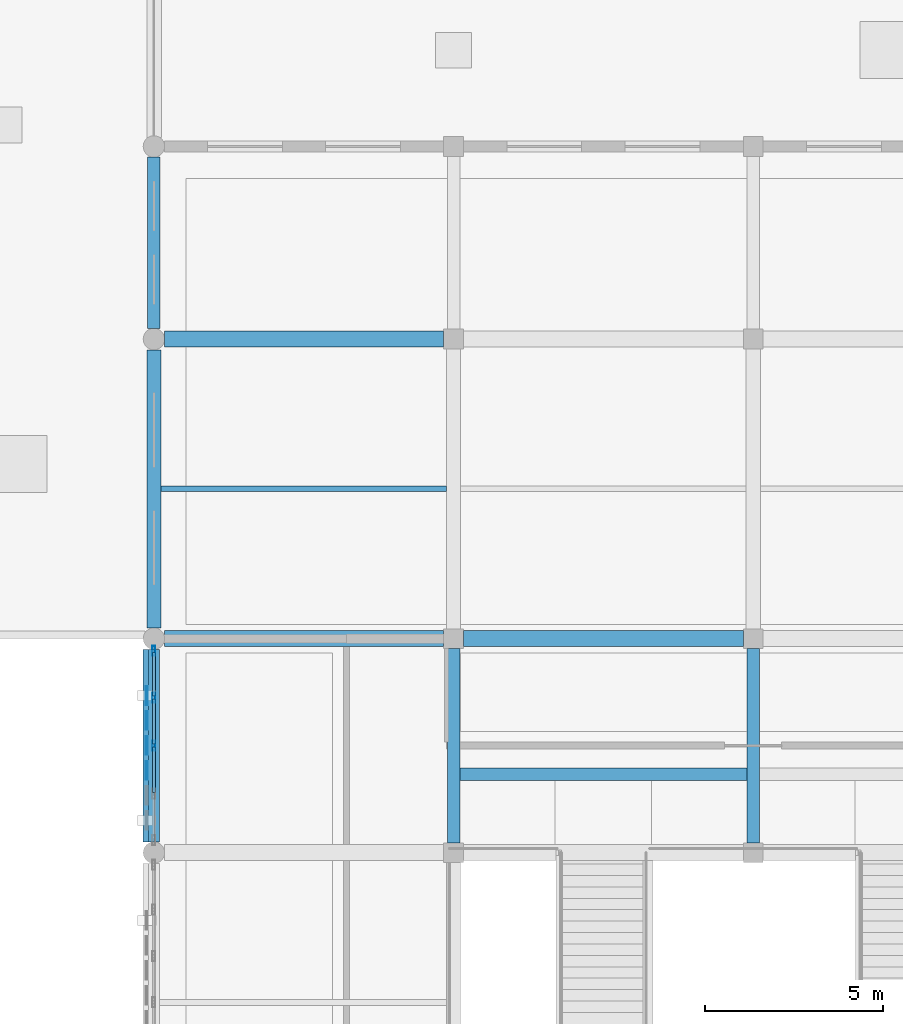
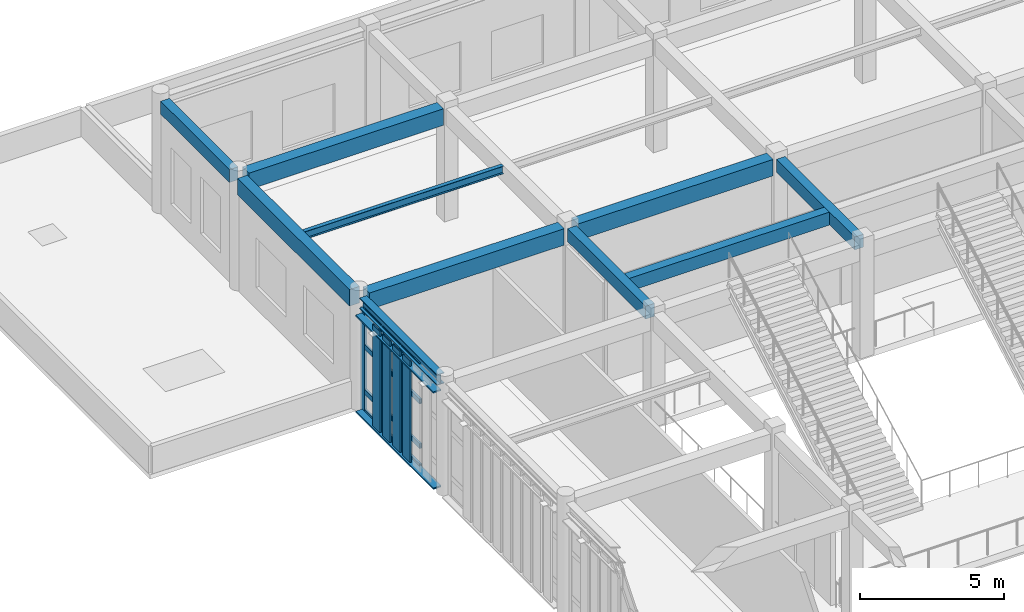
# One storey, part 37 of 93: 21 members, 10 beams, 1 element without a shape of its own.
"""IFC4 building model written with IfcOpenShell, lengths in metres."""

import ifcopenshell
import ifcopenshell.guid

model = None  # the IFC model being written
_history = None  # IfcOwnerHistory: only IFC2X3 demands one
_inside = {}  # id of a spatial element -> (the spatial element, [elements in it])
_under = {}  # id of a project, library or spatial element -> (it, [spatial elements below it])
_declared = {}  # id of a project -> (the project, [libraries it declares])
_typed = {}  # id of a type object -> (the type object, [elements of that type])
_made_of = {}  # id of a material, layer set ... -> (it, [elements and type objects made of it])


def new_model(schema):
    """Start an empty IFC model of exactly this schema.

    Asked for "IFC4X3", IfcOpenShell would pick the latest addendum, in which some entities
    have other attributes; the version numbers below select the first issue.
    IFC2X3 requires an IfcOwnerHistory on every rooted entity: one is made here for all.
    """
    global model, _history
    if schema == "IFC4X3":
        model = ifcopenshell.file(schema_version=(4, 3, 0, 0))
    else:
        model = ifcopenshell.file(schema=schema)
    _inside.clear()
    _under.clear()
    _declared.clear()
    _typed.clear()
    _made_of.clear()
    _history = None
    if model.schema == "IFC2X3":
        org = make("IfcOrganization", Name="unknown")
        user = make(
            "IfcPersonAndOrganization",
            ThePerson=make("IfcPerson", FamilyName="unknown"),
            TheOrganization=org,
        )
        app = make(
            "IfcApplication",
            ApplicationDeveloper=org,
            Version="unknown",
            ApplicationFullName="unknown",
            ApplicationIdentifier="unknown",
        )
        _history = make(
            "IfcOwnerHistory",
            OwningUser=user,
            OwningApplication=app,
            ChangeAction="ADDED",
            CreationDate=0,
        )
    return model


def make(cls, **values):
    """One entity of the class cls with the attributes given. An attribute that is None is left unset."""
    return model.create_entity(
        cls, **{name: value for name, value in values.items() if value is not None}
    )


def rooted(cls, **values):
    """An entity with a GlobalId (a new one), such as an element, a storey or a relation."""
    return make(cls, GlobalId=ifcopenshell.guid.new(), OwnerHistory=_history, **values)


def si_unit(unit_type, name, prefix=None):
    """IfcSIUnit, for example si_unit("LENGTHUNIT", "METRE", prefix="MILLI")."""
    return make("IfcSIUnit", UnitType=unit_type, Prefix=prefix, Name=name)


def assignment(units):
    """IfcUnitAssignment: the units of a project."""
    return None if units is None else make("IfcUnitAssignment", Units=units)


def point(xyz):
    """IfcCartesianPoint."""
    return None if xyz is None else make("IfcCartesianPoint", Coordinates=xyz)


def direction(xyz):
    """IfcDirection."""
    return None if xyz is None else make("IfcDirection", DirectionRatios=xyz)


def frame(location, z_axis=None, x_axis=None):
    """IfcAxis2Placement3D, a coordinate frame: its origin and axes. An axis left out is left unset."""
    return make(
        "IfcAxis2Placement3D",
        Location=point(location),
        Axis=direction(z_axis),
        RefDirection=direction(x_axis),
    )


def frame_2d(location, x_axis=None):
    """IfcAxis2Placement2D, a coordinate frame in the plane: its origin and x axis."""
    return make(
        "IfcAxis2Placement2D", Location=point(location), RefDirection=direction(x_axis)
    )


def origin():
    """The frame at (0, 0, 0) with its axes left unset."""
    return frame((0.0, 0.0, 0.0))


def origin_2d():
    """The frame at (0, 0) in the plane with its x axis left unset."""
    return frame_2d((0.0, 0.0))


def place(relative_to, where):
    """IfcLocalPlacement: puts the frame where relative to a parent placement (None: the world)."""
    return make(
        "IfcLocalPlacement", PlacementRelTo=relative_to, RelativePlacement=where
    )


def context(
    kind, dimensions, precision=None, world=None, true_north=None, identifier=None
):
    """IfcGeometricRepresentationContext, for example the 3D "Model" context."""
    return make(
        "IfcGeometricRepresentationContext",
        ContextIdentifier=identifier,
        ContextType=kind,
        CoordinateSpaceDimension=dimensions,
        Precision=precision,
        WorldCoordinateSystem=world,
        TrueNorth=true_north,
    )


def subcontext(parent, identifier, kind, view, scale=None):
    """IfcGeometricRepresentationSubContext, for example "Body" below "Model"."""
    return make(
        "IfcGeometricRepresentationSubContext",
        ContextIdentifier=identifier,
        ContextType=kind,
        ParentContext=parent,
        TargetScale=scale,
        TargetView=view,
    )


def project(units=None, contexts=None):
    """IfcProject with its units and contexts."""
    return rooted(
        "IfcProject",
        Name="project",
        RepresentationContexts=contexts,
        UnitsInContext=assignment(units),
    )


def spatial(cls, under=None, at=None, **own):
    """A site, building, storey or space (cls), placed at a placement, below another one or the project."""
    s = rooted(cls, ObjectPlacement=at, **own)
    if under is not None:
        _under.setdefault(under.id(), (under, []))[1].append(s)
    return s


def profile(cls, at=None, kind="AREA", **sizes):
    """A parametric profile (cls). Its sizes go by their IFC names, for example OverallWidth=200.0."""
    return make(cls, ProfileType=kind, Position=at, **sizes)


def rectangle(**sizes):
    """IfcRectangleProfileDef."""
    return profile("IfcRectangleProfileDef", **sizes)


def hollow_rectangle(**sizes):
    """IfcRectangleHollowProfileDef."""
    return profile("IfcRectangleHollowProfileDef", **sizes)


def i_section(**sizes):
    """IfcIShapeProfileDef."""
    return profile("IfcIShapeProfileDef", **sizes)


def extrude(swept, where, along, depth):
    """IfcExtrudedAreaSolid: the profile swept, set in the frame where, extruded along a direction by depth."""
    return make(
        "IfcExtrudedAreaSolid",
        SweptArea=swept,
        Position=where,
        ExtrudedDirection=direction(along),
        Depth=depth,
    )


def shape(context_of_items, identifier, shape_type, items):
    """IfcShapeRepresentation: the items that make up one representation, for example the "Body"."""
    return make(
        "IfcShapeRepresentation",
        ContextOfItems=context_of_items,
        RepresentationIdentifier=identifier,
        RepresentationType=shape_type,
        Items=items,
    )


def material(Name=None, Category=None):
    """IfcMaterial."""
    return make("IfcMaterial", Name=Name, Category=Category)


def layer(
    of_material, thickness, ventilated=None, Name=None, Category=None, Priority=None
):
    """IfcMaterialLayer: one layer of a wall or slab, of a material (None: an air gap)."""
    return make(
        "IfcMaterialLayer",
        Material=of_material,
        LayerThickness=thickness,
        IsVentilated=ventilated,
        Name=Name,
        Category=Category,
        Priority=Priority,
    )


def layer_set(layers, Name=None):
    """IfcMaterialLayerSet."""
    return make("IfcMaterialLayerSet", MaterialLayers=layers, LayerSetName=Name)


def material_profile(
    of_material, cross_section, Name=None, Category=None, Priority=None
):
    """IfcMaterialProfile: a cross section and its material."""
    return make(
        "IfcMaterialProfile",
        Name=Name,
        Material=of_material,
        Profile=cross_section,
        Priority=Priority,
        Category=Category,
    )


def profile_set(profiles, Name=None, composite=None):
    """IfcMaterialProfileSet."""
    return make(
        "IfcMaterialProfileSet",
        Name=Name,
        MaterialProfiles=profiles,
        CompositeProfile=composite,
    )


def made_of(thing, what):
    """Note that an element or type object is made of a material, layer set ...; save() writes the relation."""
    if what is not None:
        _made_of.setdefault(what.id(), (what, []))[1].append(thing)
    return thing


def type_object(cls, material=None, **own):
    """A type object (cls), such as IfcWallType, which elements share."""
    return made_of(rooted(cls, **own), material)


def element(
    cls,
    number,
    at=None,
    inside=None,
    cuts=None,
    type_object=None,
    material=None,
    context=None,
    identifier="Body",
    shape_type=None,
    held_by="IfcProductDefinitionShape",
    body=None,
    shapes=None,
    **own,
):
    """One element of the class cls, such as IfcWall. Its Tag is "e" and its number.

    at: its placement. inside: the storey or other place that contains it. cuts: it is an
    opening in that element (IfcRelVoidsElement). A single representation is given by context,
    identifier, shape_type and body (its items); several are given by shapes. held_by: the class
    of the entity that holds the representations. save() writes the other relations.
    """
    e = rooted(cls, Tag="e%d" % number, ObjectPlacement=at, **own)
    if body is not None:
        shapes = [shape(context, identifier, shape_type, body)]
    if shapes is not None:
        e.Representation = make(held_by, Representations=shapes)
    if inside is not None:
        _inside.setdefault(inside.id(), (inside, []))[1].append(e)
    if cuts is not None:
        rooted(
            "IfcRelVoidsElement", RelatingBuildingElement=cuts, RelatedOpeningElement=e
        )
    if type_object is not None:
        _typed.setdefault(type_object.id(), (type_object, []))[1].append(e)
    return made_of(e, material)


def aggregate(whole, parts):
    """IfcRelAggregates: a whole, such as a stair, and the parts it consists of."""
    return rooted("IfcRelAggregates", RelatingObject=whole, RelatedObjects=parts)


def save(model, path):
    """Write the relations noted so far, then the file.

    IfcRelAggregates (storeys below a building ...), IfcRelContainedInSpatialStructure (elements
    in a storey), IfcRelDefinesByType, IfcRelAssociatesMaterial and IfcRelDeclares: one each for
    every whole, place, type object, material and project.
    """
    for whole, parts in _under.values():
        aggregate(whole, parts)
    for where, things in _inside.values():
        rooted(
            "IfcRelContainedInSpatialStructure",
            RelatedElements=things,
            RelatingStructure=where,
        )
    for kind, things in _typed.values():
        rooted("IfcRelDefinesByType", RelatedObjects=things, RelatingType=kind)
    for what, things in _made_of.values():
        rooted("IfcRelAssociatesMaterial", RelatedObjects=things, RelatingMaterial=what)
    for by, libraries in _declared.values():
        rooted("IfcRelDeclares", RelatingContext=by, RelatedDefinitions=libraries)
    model.write(path)


model = new_model("IFC4")

# Units and contexts
model_context = context("Model", 3, precision=1e-05, world=origin(), true_north=direction((0.0, 1.0)))
body_context = subcontext(model_context, "Body", "Model", "MODEL_VIEW")
ifc_project = project(units=[si_unit("LENGTHUNIT", "METRE"), si_unit("AREAUNIT", "SQUARE_METRE"), si_unit("VOLUMEUNIT", "CUBIC_METRE"), si_unit("PLANEANGLEUNIT", "RADIAN"), si_unit("MASSUNIT", "GRAM", prefix="KILO")], contexts=[model_context])

# Site, building, storey
site_placement = place(None, origin())
site = spatial("IfcSite", under=ifc_project, at=site_placement, CompositionType="ELEMENT")
building_placement = place(site_placement, origin())
building = spatial("IfcBuilding", under=site, at=building_placement, Name="Krzemoval Escarpment Law Courts", CompositionType="ELEMENT")
storey_placement = place(building_placement, frame((0.0, 0.0, 10.199951171875)))
storey = spatial("IfcBuildingStorey", under=building, at=storey_placement, Name="L02", CompositionType="ELEMENT", Elevation=10.199951171875)

# Beams
ifc_material_1 = material(Name="Concrete C40/50", Category="concrete")
ifc_material_profile_1 = material_profile(ifc_material_1, rectangle(XDim=0.35009765625, YDim=0.550048828125, at=origin_2d()), Name="RCB 350x550")
ifc_profile_set_1 = profile_set([ifc_material_profile_1], Name="Concrete C40/50")
beam_type_1 = type_object("IfcBeamType", Name="BM-RC-350x550", PredefinedType="BEAM", material=ifc_profile_set_1)
beam_1_placement = place(storey_placement, frame((8.39990234375, 108.300048828125, 4.545166015625), z_axis=(0.0, 1.0, 0.0), x_axis=(-1.0, 0.0, 0.0)))
element("IfcBeam", 1, at=beam_1_placement, inside=storey, type_object=beam_type_1, Name="Beam FG-L02-1870", PredefinedType="BEAM", context=body_context, shape_type="SweptSolid", body=[
    extrude(rectangle(XDim=0.35009765625, YDim=0.550048828125, at=origin_2d()), origin(), (0.0, 0.0, 1.0), 4.800048828125),
])
for number, where, z_axis, x_axis, name in (
    (2, (16.800048828125, 93.875, 4.545166015625), (0.0, 1.0, 0.0), (-1.0, 0.0, 0.0), "Beam FG-L02-1879"),
    (3, (25.199951171875, 93.875, 4.545166015625), (0.0, 1.0, 0.0), (-1.0, 0.0, 0.0), "Beam FG-L02-1887"),
):
    element("IfcBeam", number, at=place(storey_placement, frame(where, z_axis=z_axis, x_axis=x_axis)), inside=storey, type_object=beam_type_1, Name=name, PredefinedType="BEAM", context=body_context, shape_type="SweptSolid", body=[
        extrude(rectangle(XDim=0.35009765625, YDim=0.550048828125, at=origin_2d()), origin(), (0.0, 0.0, 1.0), 5.449951171875),
    ])
beam_2_placement = place(storey_placement, frame((16.97509765625, 95.800048828125, 4.545166015625), z_axis=(1.0, 0.0, 0.0), x_axis=(0.0, 1.0, 0.0)))
element("IfcBeam", 4, at=beam_2_placement, inside=storey, type_object=beam_type_1, Name="Beam FGT-L02-011", PredefinedType="BEAM", context=body_context, shape_type="SweptSolid", body=[
    extrude(rectangle(XDim=0.35009765625, YDim=0.550048828125, at=origin_2d()), origin(), (0.0, 0.0, 1.0), 8.0498046875),
])
ifc_material_2 = material(Name="Concrete C40/50", Category="concrete")
ifc_material_profile_2 = material_profile(ifc_material_2, rectangle(XDim=0.39990234375, YDim=0.699951171875, at=origin_2d()), Name="RCB 400x700")
ifc_profile_set_2 = profile_set([ifc_material_profile_2], Name="Concrete C40/50")
beam_type_2 = type_object("IfcBeamType", Name="BM-RC-400x700", PredefinedType="BEAM", material=ifc_profile_set_2)
beam_3_placement = place(storey_placement, frame((8.39990234375, 99.89990234375, 4.469970703125), z_axis=(0.0, 1.0, 0.0), x_axis=(-1.0, 0.0, 0.0)))
element("IfcBeam", 5, at=beam_3_placement, inside=storey, type_object=beam_type_2, Name="Beam FG-L02-1869", PredefinedType="BEAM", context=body_context, shape_type="SweptSolid", body=[
    extrude(rectangle(XDim=0.39990234375, YDim=0.699951171875, at=origin_2d()), origin(), (0.0, 0.0, 1.0), 7.800048828125),
])
ifc_material_3 = material(Name="Concrete C40/50", Category="concrete")
ifc_material_profile_3 = material_profile(ifc_material_3, rectangle(XDim=0.449951171875, YDim=0.699951171875, at=origin_2d()), Name="RCB 450x700")
ifc_profile_set_3 = profile_set([ifc_material_profile_3], Name="Concrete C40/50")
beam_type_3 = type_object("IfcBeamType", Name="BM-RC-450x700", PredefinedType="BEAM", material=ifc_profile_set_3)
beam_4_placement = place(storey_placement, frame((8.699951171875, 99.60009765625, 4.469970703125), z_axis=(1.0, 0.0, 0.0), x_axis=(0.0, 1.0, 0.0)))
element("IfcBeam", 6, at=beam_4_placement, inside=storey, type_object=beam_type_3, Name="Beam FG-L02-1819", PredefinedType="BEAM", context=body_context, shape_type="SweptSolid", body=[
    extrude(rectangle(XDim=0.449951171875, YDim=0.699951171875, at=origin_2d()), origin(), (0.0, 0.0, 1.0), 7.824951171875),
])
beam_5_placement = place(storey_placement, frame((17.074951171875, 99.60009765625, 4.469970703125), z_axis=(1.0, 0.0, 0.0), x_axis=(0.0, 1.0, 0.0)))
element("IfcBeam", 7, at=beam_5_placement, inside=storey, type_object=beam_type_3, Name="Beam FG-L02-1820", PredefinedType="BEAM", context=body_context, shape_type="SweptSolid", body=[
    extrude(rectangle(XDim=0.449951171875, YDim=0.699951171875, at=origin_2d()), origin(), (0.0, 0.0, 1.0), 7.85009765625),
])
beam_6_placement = place(storey_placement, frame((8.699951171875, 108.0, 4.469970703125), z_axis=(1.0, 0.0, 0.0), x_axis=(0.0, 1.0, 0.0)))
element("IfcBeam", 8, at=beam_6_placement, inside=storey, type_object=beam_type_3, Name="Beam FG-L02-1827", PredefinedType="BEAM", context=body_context, shape_type="SweptSolid", body=[
    extrude(rectangle(XDim=0.449951171875, YDim=0.699951171875, at=origin_2d()), origin(), (0.0, 0.0, 1.0), 7.824951171875),
])

# Curtain wall, members
ifc_material_4 = material(Name="Aluminium 6063-T6", Category="aluminium")
ifc_layer = layer(ifc_material_4, 0.280029296875)
ifc_layer_set = layer_set([ifc_layer], Name="Aluminium 6063-T6")
curtain_wall_type = type_object("IfcCurtainWallType", Name="CW-HALL-5100", PredefinedType="USERDEFINED", material=ifc_layer_set)
curtain_wall_placement = place(storey_placement, origin())
curtain_wall = element("IfcCurtainWall", 9, at=curtain_wall_placement, inside=storey, type_object=curtain_wall_type, Name="Unitised Curtain Wall FCW-L02-072", ObjectType="UNITISED_CURTAIN_WALL", PredefinedType="USERDEFINED")
ifc_material_5 = material(Name="Aluminium 6063-T6", Category="aluminium")
ifc_material_profile_4 = material_profile(ifc_material_5, hollow_rectangle(XDim=0.0849609375, YDim=0.280029296875, WallThickness=0.005615234375, at=origin_2d()), Name="ALU M85x280")
ifc_profile_set_4 = profile_set([ifc_material_profile_4], Name="Aluminium 6063-T6")
member_type_1 = type_object("IfcMemberType", Name="CWM-85x280", PredefinedType="MULLION", material=ifc_profile_set_4)
member_1_placement = place(storey_placement, frame((8.39990234375, 96.60009765625, 0.0), z_axis=(0.0, 0.0, 1.0), x_axis=(-1.0, 0.0, 0.0)))
member_1 = element("IfcMember", 10, at=member_1_placement, type_object=member_type_1, Name="FCW-L02-072 mullion 3", PredefinedType="MULLION", context=body_context, shape_type="SweptSolid", body=[
    extrude(hollow_rectangle(XDim=0.0849609375, YDim=0.280029296875, WallThickness=0.005615234375, at=origin_2d()), origin(), (0.0, 0.0, 1.0), 4.3701171875),
])
member_2_placement = place(storey_placement, frame((8.39990234375, 97.949951171875, 0.0), z_axis=(0.0, 0.0, 1.0), x_axis=(-1.0, 0.0, 0.0)))
member_2 = element("IfcMember", 11, at=member_2_placement, type_object=member_type_1, Name="FCW-L02-072 mullion 4", PredefinedType="MULLION", context=body_context, shape_type="SweptSolid", body=[
    extrude(hollow_rectangle(XDim=0.0849609375, YDim=0.280029296875, WallThickness=0.005615234375, at=origin_2d()), origin(), (0.0, 0.0, 1.0), 4.3701171875),
])
member_3_placement = place(storey_placement, frame((8.39990234375, 99.257568359375, 0.0), z_axis=(0.0, 0.0, 1.0), x_axis=(-1.0, 0.0, 0.0)))
member_3 = element("IfcMember", 12, at=member_3_placement, type_object=member_type_1, Name="FCW-L02-072 mullion 5", PredefinedType="MULLION", context=body_context, shape_type="SweptSolid", body=[
    extrude(hollow_rectangle(XDim=0.0849609375, YDim=0.280029296875, WallThickness=0.005615234375, at=origin_2d()), origin(), (0.0, 0.0, 1.0), 4.3701171875),
])
ifc_material_6 = material(Name="Aluminium 6063-T6", Category="aluminium")
ifc_material_profile_5 = material_profile(ifc_material_6, hollow_rectangle(XDim=0.0849609375, YDim=0.2099609375, WallThickness=0.005615234375, at=origin_2d()), Name="ALU T85x210")
ifc_profile_set_5 = profile_set([ifc_material_profile_5], Name="Aluminium 6063-T6")
member_type_2 = type_object("IfcMemberType", Name="CWT-85x210", PredefinedType="USERDEFINED", material=ifc_profile_set_5)
member_4_placement = place(storey_placement, frame((8.39990234375, 95.29248046875, 0.04248046875), z_axis=(0.0, 1.0, 0.0), x_axis=(-1.0, 0.0, 0.0)))
member_4 = element("IfcMember", 13, at=member_4_placement, type_object=member_type_2, Name="FCW-L02-072 transom 2.1", ObjectType="TRANSOM", PredefinedType="USERDEFINED", context=body_context, shape_type="SweptSolid", body=[
    extrude(hollow_rectangle(XDim=0.0849609375, YDim=0.2099609375, WallThickness=0.005615234375, at=origin_2d()), origin(), (0.0, 0.0, 1.0), 1.26513671875),
])
member_5_placement = place(storey_placement, frame((8.39990234375, 95.29248046875, 0.900146484375), z_axis=(0.0, 1.0, 0.0), x_axis=(-1.0, 0.0, 0.0)))
member_5 = element("IfcMember", 14, at=member_5_placement, type_object=member_type_2, Name="FCW-L02-072 transom 2.2", ObjectType="TRANSOM", PredefinedType="USERDEFINED", context=body_context, shape_type="SweptSolid", body=[
    extrude(hollow_rectangle(XDim=0.0849609375, YDim=0.2099609375, WallThickness=0.005615234375, at=origin_2d()), origin(), (0.0, 0.0, 1.0), 1.26513671875),
])
member_6_placement = place(storey_placement, frame((8.39990234375, 95.29248046875, 2.800048828125), z_axis=(0.0, 1.0, 0.0), x_axis=(-1.0, 0.0, 0.0)))
member_6 = element("IfcMember", 15, at=member_6_placement, type_object=member_type_2, Name="FCW-L02-072 transom 2.3", ObjectType="TRANSOM", PredefinedType="USERDEFINED", context=body_context, shape_type="SweptSolid", body=[
    extrude(hollow_rectangle(XDim=0.0849609375, YDim=0.2099609375, WallThickness=0.005615234375, at=origin_2d()), origin(), (0.0, 0.0, 1.0), 1.26513671875),
])
member_7_placement = place(storey_placement, frame((8.39990234375, 95.29248046875, 4.32763671875), z_axis=(0.0, 1.0, 0.0), x_axis=(-1.0, 0.0, 0.0)))
member_7 = element("IfcMember", 16, at=member_7_placement, type_object=member_type_2, Name="FCW-L02-072 transom 2.4", ObjectType="TRANSOM", PredefinedType="USERDEFINED", context=body_context, shape_type="SweptSolid", body=[
    extrude(hollow_rectangle(XDim=0.0849609375, YDim=0.2099609375, WallThickness=0.005615234375, at=origin_2d()), origin(), (0.0, 0.0, 1.0), 1.26513671875),
])
member_8_placement = place(storey_placement, frame((8.39990234375, 96.642578125, 0.04248046875), z_axis=(0.0, 1.0, 0.0), x_axis=(-1.0, 0.0, 0.0)))
member_8 = element("IfcMember", 17, at=member_8_placement, type_object=member_type_2, Name="FCW-L02-072 transom 3.1", ObjectType="TRANSOM", PredefinedType="USERDEFINED", context=body_context, shape_type="SweptSolid", body=[
    extrude(hollow_rectangle(XDim=0.0849609375, YDim=0.2099609375, WallThickness=0.005615234375, at=origin_2d()), origin(), (0.0, 0.0, 1.0), 1.264892578125),
])
member_9_placement = place(storey_placement, frame((8.39990234375, 96.642578125, 0.900146484375), z_axis=(0.0, 1.0, 0.0), x_axis=(-1.0, 0.0, 0.0)))
member_9 = element("IfcMember", 18, at=member_9_placement, type_object=member_type_2, Name="FCW-L02-072 transom 3.2", ObjectType="TRANSOM", PredefinedType="USERDEFINED", context=body_context, shape_type="SweptSolid", body=[
    extrude(hollow_rectangle(XDim=0.0849609375, YDim=0.2099609375, WallThickness=0.005615234375, at=origin_2d()), origin(), (0.0, 0.0, 1.0), 1.264892578125),
])
member_10_placement = place(storey_placement, frame((8.39990234375, 96.642578125, 2.800048828125), z_axis=(0.0, 1.0, 0.0), x_axis=(-1.0, 0.0, 0.0)))
member_10 = element("IfcMember", 19, at=member_10_placement, type_object=member_type_2, Name="FCW-L02-072 transom 3.3", ObjectType="TRANSOM", PredefinedType="USERDEFINED", context=body_context, shape_type="SweptSolid", body=[
    extrude(hollow_rectangle(XDim=0.0849609375, YDim=0.2099609375, WallThickness=0.005615234375, at=origin_2d()), origin(), (0.0, 0.0, 1.0), 1.264892578125),
])
member_11_placement = place(storey_placement, frame((8.39990234375, 96.642578125, 4.32763671875), z_axis=(0.0, 1.0, 0.0), x_axis=(-1.0, 0.0, 0.0)))
member_11 = element("IfcMember", 20, at=member_11_placement, type_object=member_type_2, Name="FCW-L02-072 transom 3.4", ObjectType="TRANSOM", PredefinedType="USERDEFINED", context=body_context, shape_type="SweptSolid", body=[
    extrude(hollow_rectangle(XDim=0.0849609375, YDim=0.2099609375, WallThickness=0.005615234375, at=origin_2d()), origin(), (0.0, 0.0, 1.0), 1.264892578125),
])
member_12_placement = place(storey_placement, frame((8.39990234375, 97.992431640625, 0.04248046875), z_axis=(0.0, 1.0, 0.0), x_axis=(-1.0, 0.0, 0.0)))
member_12 = element("IfcMember", 21, at=member_12_placement, type_object=member_type_2, Name="FCW-L02-072 transom 4.1", ObjectType="TRANSOM", PredefinedType="USERDEFINED", context=body_context, shape_type="SweptSolid", body=[
    extrude(hollow_rectangle(XDim=0.0849609375, YDim=0.2099609375, WallThickness=0.005615234375, at=origin_2d()), origin(), (0.0, 0.0, 1.0), 1.22265625),
])
member_13_placement = place(storey_placement, frame((8.39990234375, 97.992431640625, 0.900146484375), z_axis=(0.0, 1.0, 0.0), x_axis=(-1.0, 0.0, 0.0)))
member_13 = element("IfcMember", 22, at=member_13_placement, type_object=member_type_2, Name="FCW-L02-072 transom 4.2", ObjectType="TRANSOM", PredefinedType="USERDEFINED", context=body_context, shape_type="SweptSolid", body=[
    extrude(hollow_rectangle(XDim=0.0849609375, YDim=0.2099609375, WallThickness=0.005615234375, at=origin_2d()), origin(), (0.0, 0.0, 1.0), 1.22265625),
])
member_14_placement = place(storey_placement, frame((8.39990234375, 97.992431640625, 2.800048828125), z_axis=(0.0, 1.0, 0.0), x_axis=(-1.0, 0.0, 0.0)))
member_14 = element("IfcMember", 23, at=member_14_placement, type_object=member_type_2, Name="FCW-L02-072 transom 4.3", ObjectType="TRANSOM", PredefinedType="USERDEFINED", context=body_context, shape_type="SweptSolid", body=[
    extrude(hollow_rectangle(XDim=0.0849609375, YDim=0.2099609375, WallThickness=0.005615234375, at=origin_2d()), origin(), (0.0, 0.0, 1.0), 1.22265625),
])
member_15_placement = place(storey_placement, frame((8.39990234375, 97.992431640625, 4.32763671875), z_axis=(0.0, 1.0, 0.0), x_axis=(-1.0, 0.0, 0.0)))
member_15 = element("IfcMember", 24, at=member_15_placement, type_object=member_type_2, Name="FCW-L02-072 transom 4.4", ObjectType="TRANSOM", PredefinedType="USERDEFINED", context=body_context, shape_type="SweptSolid", body=[
    extrude(hollow_rectangle(XDim=0.0849609375, YDim=0.2099609375, WallThickness=0.005615234375, at=origin_2d()), origin(), (0.0, 0.0, 1.0), 1.22265625),
])
aggregate(curtain_wall, [member_1, member_2, member_3, member_4, member_5, member_6, member_7, member_8, member_9, member_10, member_11, member_12, member_13, member_14, member_15])

# Beam
ifc_material_7 = material(Name="Steel S355", Category="steel")
ifc_material_profile_6 = material_profile(ifc_material_7, i_section(OverallWidth=0.159912109375, OverallDepth=0.330078125, WebThickness=0.007568359375, FlangeThickness=0.011474609375, at=origin_2d()), Name="IPE 330")
ifc_profile_set_6 = profile_set([ifc_material_profile_6], Name="Steel S355")
beam_type_4 = type_object("IfcBeamType", Name="JST-S355-IPE330", PredefinedType="JOIST", material=ifc_profile_set_6)
beam_7_placement = place(storey_placement, frame((8.60009765625, 103.800048828125, 4.655029296875), z_axis=(1.0, 0.0, 0.0), x_axis=(0.0, 1.0, 0.0)))
element("IfcBeam", 25, at=beam_7_placement, inside=storey, type_object=beam_type_4, Name="Secondary Joist FJ-L02-2017", PredefinedType="JOIST", context=body_context, shape_type="SweptSolid", body=[
    extrude(i_section(OverallWidth=0.159912109375, OverallDepth=0.330078125, WebThickness=0.007568359375, FlangeThickness=0.011474609375, at=origin_2d()), origin(), (0.0, 0.0, 1.0), 8.0),
])

# Members
ifc_material_8 = material(Name="Anodised Aluminium Alloy 6063-T6", Category="aluminium")
ifc_material_profile_7 = material_profile(ifc_material_8, hollow_rectangle(XDim=0.06005859375, YDim=0.320068359375, WallThickness=0.00390625, at=origin_2d()), Name="ALU LVR 60x320")
ifc_profile_set_7 = profile_set([ifc_material_profile_7], Name="Anodised Aluminium Alloy 6063-T6")
member_type_3 = type_object("IfcMemberType", Name="LVR-ALU-320", PredefinedType="USERDEFINED", material=ifc_profile_set_7)
for number, where, z_axis, x_axis, name in (
    (26, (8.260009765625, 93.89990234375, 0.030029296875), (0.0, 1.0, 0.0), (0.0, 0.0, 1.0), "Sunshade Support Rail FSR-L02-0443"),
    (27, (8.260009765625, 93.89990234375, 4.1201171875), (0.0, 1.0, 0.0), (0.0, 0.0, 1.0), "Sunshade Support Rail FSR-L02-0444"),
):
    element("IfcMember", number, at=place(storey_placement, frame(where, z_axis=z_axis, x_axis=x_axis)), inside=storey, type_object=member_type_3, Name=name, ObjectType="SUNSHADE_LOUVRE", PredefinedType="USERDEFINED", context=body_context, shape_type="SweptSolid", body=[
        extrude(hollow_rectangle(XDim=0.06005859375, YDim=0.320068359375, WallThickness=0.00390625, at=origin_2d()), origin(), (0.0, 0.0, 1.0), 5.400146484375),
    ])
ifc_material_9 = material(Name="Anodised Aluminium Alloy 6063-T6", Category="aluminium")
ifc_material_profile_8 = material_profile(ifc_material_9, hollow_rectangle(XDim=0.06494140625, YDim=0.52001953125, WallThickness=0.00439453125, at=origin_2d()), Name="ALU LVR 65x520")
ifc_profile_set_8 = profile_set([ifc_material_profile_8], Name="Anodised Aluminium Alloy 6063-T6")
member_type_4 = type_object("IfcMemberType", Name="LVR-ALU-520", PredefinedType="USERDEFINED", material=ifc_profile_set_8)
for number, where, z_axis, x_axis, name in (
    (28, (8.199951171875, 95.89990234375, 0.06005859375), (0.0, 0.0, 1.0), (1.0, 0.0, 0.0), "Sunshade Louvre Fin FLV-L02-0447"),
    (29, (8.199951171875, 96.60009765625, 0.06005859375), (0.0, 0.0, 1.0), (1.0, 0.0, 0.0), "Sunshade Louvre Fin FLV-L02-0448"),
    (30, (8.199951171875, 97.300048828125, 0.06005859375), (0.0, 0.0, 1.0), (1.0, 0.0, 0.0), "Sunshade Louvre Fin FLV-L02-0449"),
    (31, (8.199951171875, 98.0, 0.06005859375), (0.0, 0.0, 1.0), (1.0, 0.0, 0.0), "Sunshade Louvre Fin FLV-L02-0450"),
):
    element("IfcMember", number, at=place(storey_placement, frame(where, z_axis=z_axis, x_axis=x_axis)), inside=storey, type_object=member_type_4, Name=name, ObjectType="SUNSHADE_LOUVRE", PredefinedType="USERDEFINED", context=body_context, shape_type="SweptSolid", body=[
        extrude(hollow_rectangle(XDim=0.06494140625, YDim=0.52001953125, WallThickness=0.00439453125, at=origin_2d()), origin(), (0.0, 0.0, 1.0), 4.31005859375),
    ])

# Beam
ifc_material_10 = material(Name="Steel S355", Category="steel")
ifc_material_profile_9 = material_profile(ifc_material_10, i_section(OverallWidth=0.300048828125, OverallDepth=0.449951171875, WebThickness=0.013916015625, FlangeThickness=0.02587890625, at=origin_2d()), Name="HEB 450")
ifc_profile_set_9 = profile_set([ifc_material_profile_9], Name="Steel S355")
beam_type_5 = type_object("IfcBeamType", Name="SPN-S355-HEB450", PredefinedType="SPANDREL", material=ifc_profile_set_9)
beam_8_placement = place(storey_placement, frame((8.39990234375, 93.89990234375, 4.594970703125), z_axis=(0.0, 1.0, 0.0), x_axis=(-1.0, 0.0, 0.0)))
element("IfcBeam", 32, at=beam_8_placement, inside=storey, type_object=beam_type_5, Name="Beam FG-L02-1868", PredefinedType="SPANDREL", context=body_context, shape_type="SweptSolid", body=[
    extrude(i_section(OverallWidth=0.300048828125, OverallDepth=0.449951171875, WebThickness=0.013916015625, FlangeThickness=0.02587890625, at=origin_2d()), origin(), (0.0, 0.0, 1.0), 5.400146484375),
])

save(model, "model.ifc")
